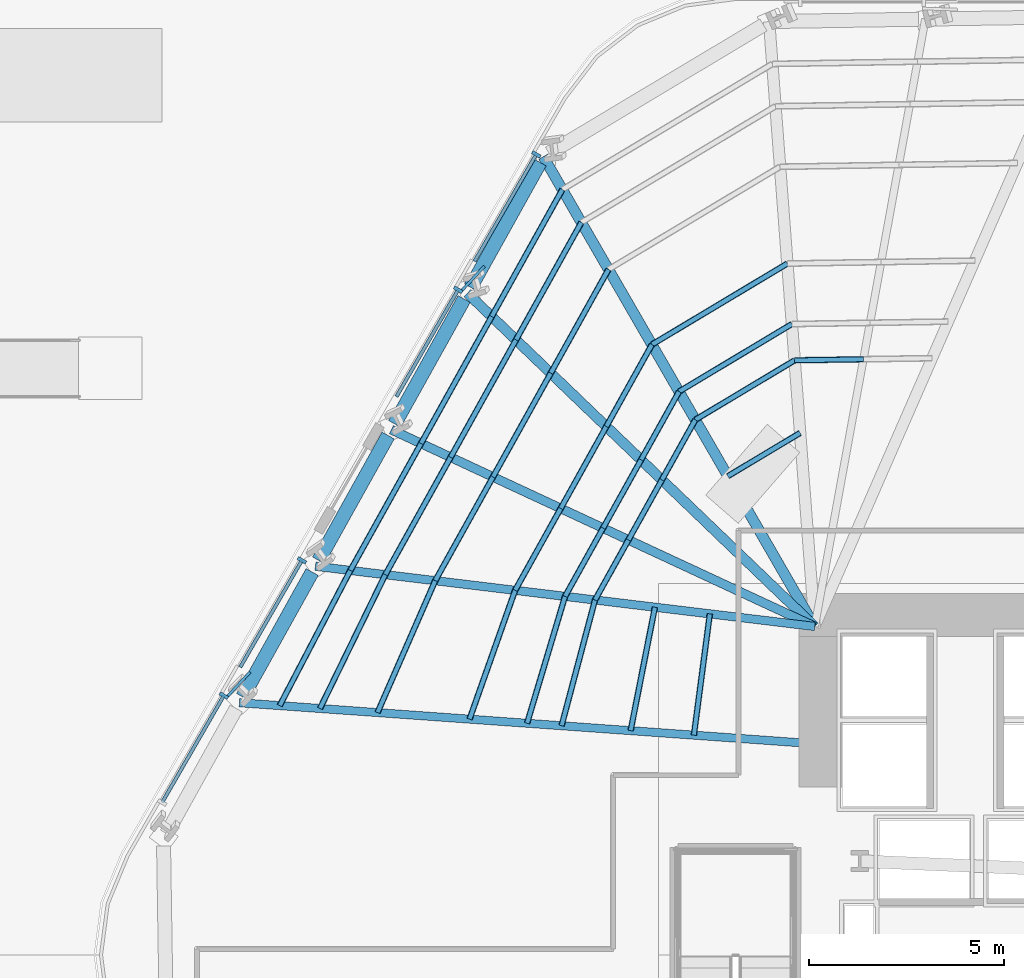
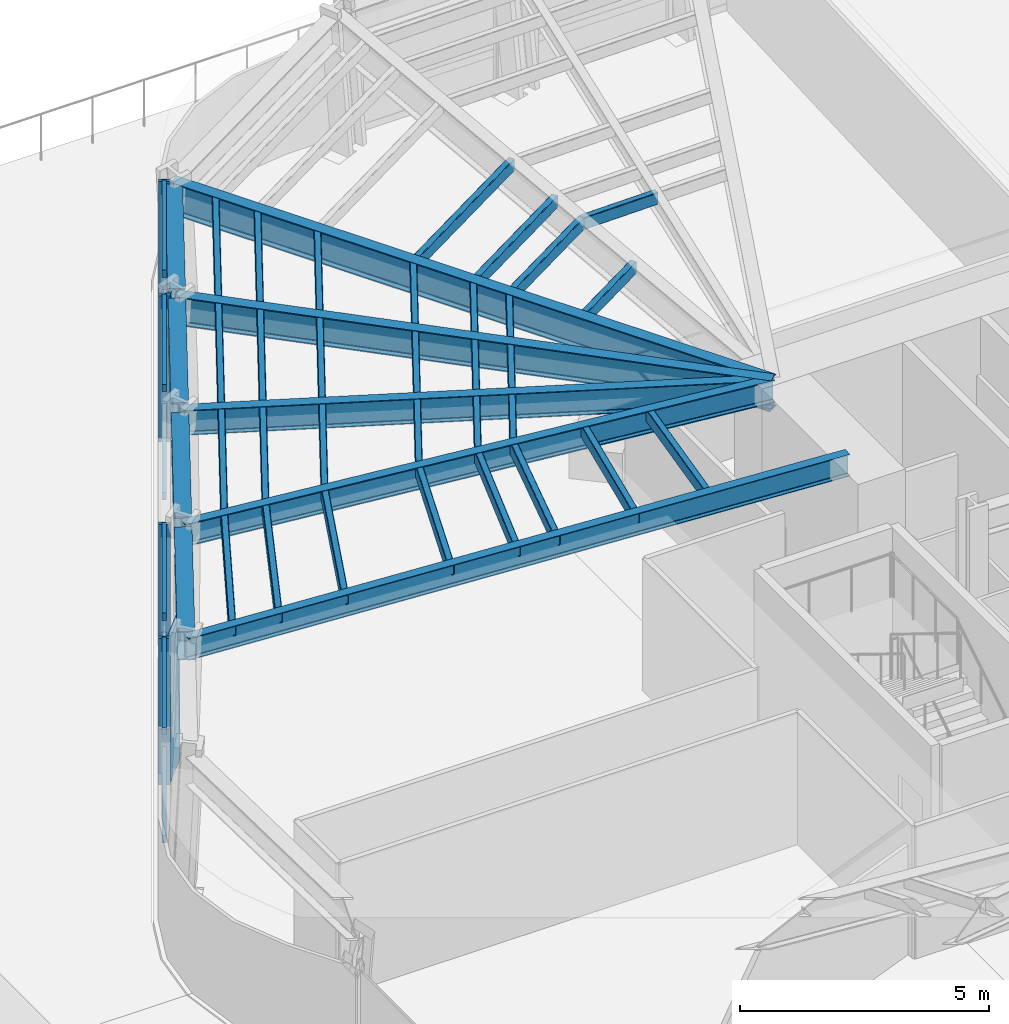
# One storey, part 4 of 18: 45 members, 9 beams, 1 element without a shape of its own.
"""IFC4 building model written with IfcOpenShell, lengths in metres."""

import ifcopenshell
import ifcopenshell.guid

model = None  # the IFC model being written
_history = None  # IfcOwnerHistory: only IFC2X3 demands one
_inside = {}  # id of a spatial element -> (the spatial element, [elements in it])
_under = {}  # id of a project, library or spatial element -> (it, [spatial elements below it])
_declared = {}  # id of a project -> (the project, [libraries it declares])
_typed = {}  # id of a type object -> (the type object, [elements of that type])
_made_of = {}  # id of a material, layer set ... -> (it, [elements and type objects made of it])


def new_model(schema):
    """Start an empty IFC model of exactly this schema.

    Asked for "IFC4X3", IfcOpenShell would pick the latest addendum, in which some entities
    have other attributes; the version numbers below select the first issue.
    IFC2X3 requires an IfcOwnerHistory on every rooted entity: one is made here for all.
    """
    global model, _history
    if schema == "IFC4X3":
        model = ifcopenshell.file(schema_version=(4, 3, 0, 0))
    else:
        model = ifcopenshell.file(schema=schema)
    _inside.clear()
    _under.clear()
    _declared.clear()
    _typed.clear()
    _made_of.clear()
    _history = None
    if model.schema == "IFC2X3":
        org = make("IfcOrganization", Name="unknown")
        user = make(
            "IfcPersonAndOrganization",
            ThePerson=make("IfcPerson", FamilyName="unknown"),
            TheOrganization=org,
        )
        app = make(
            "IfcApplication",
            ApplicationDeveloper=org,
            Version="unknown",
            ApplicationFullName="unknown",
            ApplicationIdentifier="unknown",
        )
        _history = make(
            "IfcOwnerHistory",
            OwningUser=user,
            OwningApplication=app,
            ChangeAction="ADDED",
            CreationDate=0,
        )
    return model


def make(cls, **values):
    """One entity of the class cls with the attributes given. An attribute that is None is left unset."""
    return model.create_entity(
        cls, **{name: value for name, value in values.items() if value is not None}
    )


def rooted(cls, **values):
    """An entity with a GlobalId (a new one), such as an element, a storey or a relation."""
    return make(cls, GlobalId=ifcopenshell.guid.new(), OwnerHistory=_history, **values)


def si_unit(unit_type, name, prefix=None):
    """IfcSIUnit, for example si_unit("LENGTHUNIT", "METRE", prefix="MILLI")."""
    return make("IfcSIUnit", UnitType=unit_type, Prefix=prefix, Name=name)


def assignment(units):
    """IfcUnitAssignment: the units of a project."""
    return None if units is None else make("IfcUnitAssignment", Units=units)


def point(xyz):
    """IfcCartesianPoint."""
    return None if xyz is None else make("IfcCartesianPoint", Coordinates=xyz)


def direction(xyz):
    """IfcDirection."""
    return None if xyz is None else make("IfcDirection", DirectionRatios=xyz)


def frame(location, z_axis=None, x_axis=None):
    """IfcAxis2Placement3D, a coordinate frame: its origin and axes. An axis left out is left unset."""
    return make(
        "IfcAxis2Placement3D",
        Location=point(location),
        Axis=direction(z_axis),
        RefDirection=direction(x_axis),
    )


def frame_2d(location, x_axis=None):
    """IfcAxis2Placement2D, a coordinate frame in the plane: its origin and x axis."""
    return make(
        "IfcAxis2Placement2D", Location=point(location), RefDirection=direction(x_axis)
    )


def origin():
    """The frame at (0, 0, 0) with its axes left unset."""
    return frame((0.0, 0.0, 0.0))


def origin_2d():
    """The frame at (0, 0) in the plane with its x axis left unset."""
    return frame_2d((0.0, 0.0))


def place(relative_to, where):
    """IfcLocalPlacement: puts the frame where relative to a parent placement (None: the world)."""
    return make(
        "IfcLocalPlacement", PlacementRelTo=relative_to, RelativePlacement=where
    )


def context(
    kind, dimensions, precision=None, world=None, true_north=None, identifier=None
):
    """IfcGeometricRepresentationContext, for example the 3D "Model" context."""
    return make(
        "IfcGeometricRepresentationContext",
        ContextIdentifier=identifier,
        ContextType=kind,
        CoordinateSpaceDimension=dimensions,
        Precision=precision,
        WorldCoordinateSystem=world,
        TrueNorth=true_north,
    )


def subcontext(parent, identifier, kind, view, scale=None):
    """IfcGeometricRepresentationSubContext, for example "Body" below "Model"."""
    return make(
        "IfcGeometricRepresentationSubContext",
        ContextIdentifier=identifier,
        ContextType=kind,
        ParentContext=parent,
        TargetScale=scale,
        TargetView=view,
    )


def project(units=None, contexts=None):
    """IfcProject with its units and contexts."""
    return rooted(
        "IfcProject",
        Name="project",
        RepresentationContexts=contexts,
        UnitsInContext=assignment(units),
    )


def spatial(cls, under=None, at=None, **own):
    """A site, building, storey or space (cls), placed at a placement, below another one or the project."""
    s = rooted(cls, ObjectPlacement=at, **own)
    if under is not None:
        _under.setdefault(under.id(), (under, []))[1].append(s)
    return s


def profile(cls, at=None, kind="AREA", **sizes):
    """A parametric profile (cls). Its sizes go by their IFC names, for example OverallWidth=200.0."""
    return make(cls, ProfileType=kind, Position=at, **sizes)


def rectangle(**sizes):
    """IfcRectangleProfileDef."""
    return profile("IfcRectangleProfileDef", **sizes)


def hollow_rectangle(**sizes):
    """IfcRectangleHollowProfileDef."""
    return profile("IfcRectangleHollowProfileDef", **sizes)


def i_section(**sizes):
    """IfcIShapeProfileDef."""
    return profile("IfcIShapeProfileDef", **sizes)


def extrude(swept, where, along, depth):
    """IfcExtrudedAreaSolid: the profile swept, set in the frame where, extruded along a direction by depth."""
    return make(
        "IfcExtrudedAreaSolid",
        SweptArea=swept,
        Position=where,
        ExtrudedDirection=direction(along),
        Depth=depth,
    )


def shape(context_of_items, identifier, shape_type, items):
    """IfcShapeRepresentation: the items that make up one representation, for example the "Body"."""
    return make(
        "IfcShapeRepresentation",
        ContextOfItems=context_of_items,
        RepresentationIdentifier=identifier,
        RepresentationType=shape_type,
        Items=items,
    )


def material(Name=None, Category=None):
    """IfcMaterial."""
    return make("IfcMaterial", Name=Name, Category=Category)


def layer(
    of_material, thickness, ventilated=None, Name=None, Category=None, Priority=None
):
    """IfcMaterialLayer: one layer of a wall or slab, of a material (None: an air gap)."""
    return make(
        "IfcMaterialLayer",
        Material=of_material,
        LayerThickness=thickness,
        IsVentilated=ventilated,
        Name=Name,
        Category=Category,
        Priority=Priority,
    )


def layer_set(layers, Name=None):
    """IfcMaterialLayerSet."""
    return make("IfcMaterialLayerSet", MaterialLayers=layers, LayerSetName=Name)


def material_profile(
    of_material, cross_section, Name=None, Category=None, Priority=None
):
    """IfcMaterialProfile: a cross section and its material."""
    return make(
        "IfcMaterialProfile",
        Name=Name,
        Material=of_material,
        Profile=cross_section,
        Priority=Priority,
        Category=Category,
    )


def profile_set(profiles, Name=None, composite=None):
    """IfcMaterialProfileSet."""
    return make(
        "IfcMaterialProfileSet",
        Name=Name,
        MaterialProfiles=profiles,
        CompositeProfile=composite,
    )


def made_of(thing, what):
    """Note that an element or type object is made of a material, layer set ...; save() writes the relation."""
    if what is not None:
        _made_of.setdefault(what.id(), (what, []))[1].append(thing)
    return thing


def type_object(cls, material=None, **own):
    """A type object (cls), such as IfcWallType, which elements share."""
    return made_of(rooted(cls, **own), material)


def element(
    cls,
    number,
    at=None,
    inside=None,
    cuts=None,
    type_object=None,
    material=None,
    context=None,
    identifier="Body",
    shape_type=None,
    held_by="IfcProductDefinitionShape",
    body=None,
    shapes=None,
    **own,
):
    """One element of the class cls, such as IfcWall. Its Tag is "e" and its number.

    at: its placement. inside: the storey or other place that contains it. cuts: it is an
    opening in that element (IfcRelVoidsElement). A single representation is given by context,
    identifier, shape_type and body (its items); several are given by shapes. held_by: the class
    of the entity that holds the representations. save() writes the other relations.
    """
    e = rooted(cls, Tag="e%d" % number, ObjectPlacement=at, **own)
    if body is not None:
        shapes = [shape(context, identifier, shape_type, body)]
    if shapes is not None:
        e.Representation = make(held_by, Representations=shapes)
    if inside is not None:
        _inside.setdefault(inside.id(), (inside, []))[1].append(e)
    if cuts is not None:
        rooted(
            "IfcRelVoidsElement", RelatingBuildingElement=cuts, RelatedOpeningElement=e
        )
    if type_object is not None:
        _typed.setdefault(type_object.id(), (type_object, []))[1].append(e)
    return made_of(e, material)


def aggregate(whole, parts):
    """IfcRelAggregates: a whole, such as a stair, and the parts it consists of."""
    return rooted("IfcRelAggregates", RelatingObject=whole, RelatedObjects=parts)


def save(model, path):
    """Write the relations noted so far, then the file.

    IfcRelAggregates (storeys below a building ...), IfcRelContainedInSpatialStructure (elements
    in a storey), IfcRelDefinesByType, IfcRelAssociatesMaterial and IfcRelDeclares: one each for
    every whole, place, type object, material and project.
    """
    for whole, parts in _under.values():
        aggregate(whole, parts)
    for where, things in _inside.values():
        rooted(
            "IfcRelContainedInSpatialStructure",
            RelatedElements=things,
            RelatingStructure=where,
        )
    for kind, things in _typed.values():
        rooted("IfcRelDefinesByType", RelatedObjects=things, RelatingType=kind)
    for what, things in _made_of.values():
        rooted("IfcRelAssociatesMaterial", RelatedObjects=things, RelatingMaterial=what)
    for by, libraries in _declared.values():
        rooted("IfcRelDeclares", RelatingContext=by, RelatedDefinitions=libraries)
    model.write(path)


model = new_model("IFC4")

# Units and contexts
model_context = context("Model", 3, precision=1e-05, world=origin(), true_north=direction((0.0, 1.0)))
body_context = subcontext(model_context, "Body", "Model", "MODEL_VIEW")
ifc_project = project(units=[si_unit("LENGTHUNIT", "METRE"), si_unit("AREAUNIT", "SQUARE_METRE"), si_unit("VOLUMEUNIT", "CUBIC_METRE"), si_unit("PLANEANGLEUNIT", "RADIAN"), si_unit("MASSUNIT", "GRAM", prefix="KILO")], contexts=[model_context])

# Site, building, storey
site_placement = place(None, origin())
site = spatial("IfcSite", under=ifc_project, at=site_placement, CompositionType="ELEMENT")
building_placement = place(site_placement, origin())
building = spatial("IfcBuilding", under=site, at=building_placement, Name="Valkerne Bourse Tower", CompositionType="ELEMENT")
storey_placement = place(building_placement, frame((0.0, 0.0, 24.0)))
storey = spatial("IfcBuildingStorey", under=building, at=storey_placement, Name="L05", CompositionType="ELEMENT", Elevation=24.0)

# Beams
ifc_material_1 = material(Name="Steel ASTM A992", Category="steel")
ifc_material_profile_1 = material_profile(ifc_material_1, i_section(OverallWidth=0.209228515625, OverallDepth=0.533447265625, WebThickness=0.01025390625, FlangeThickness=0.015625, FilletRadius=0.017822265625, at=origin_2d()), Name="W21X62")
ifc_profile_set_1 = profile_set([ifc_material_profile_1], Name="Steel ASTM A992")
beam_type_1 = type_object("IfcBeamType", Name="BM-W21X62", PredefinedType="JOIST", material=ifc_profile_set_1)
beam_1_placement = place(storey_placement, frame((22.88623046875, 33.4501953125, 3.313232421875), z_axis=(0.997462059217, -0.071200002966, 0.0), x_axis=(0.071200002966, 0.997462059217, 0.0)))
element("IfcBeam", 1, at=beam_1_placement, inside=storey, type_object=beam_type_1, Name="L05 Radial Composite Floor Beam 16", PredefinedType="JOIST", context=body_context, shape_type="SweptSolid", body=[
    extrude(i_section(OverallWidth=0.209228515625, OverallDepth=0.533447265625, WebThickness=0.01025390625, FlangeThickness=0.015625, FilletRadius=0.017822265625, at=origin_2d()), origin(), (0.0, 0.0, 1.0), 14.751220703125),
])
ifc_material_profile_2 = material_profile(ifc_material_1, i_section(OverallWidth=0.2138671875, OverallDepth=0.548583984375, WebThickness=0.0146484375, FlangeThickness=0.023681640625, FilletRadius=0.017822265625, at=origin_2d()), Name="W21X93")
ifc_profile_set_2 = profile_set([ifc_material_profile_2], Name="Steel ASTM A992")
beam_type_2 = type_object("IfcBeamType", Name="BM-W21X93", PredefinedType="BEAM", material=ifc_profile_set_2)
beam_2_placement = place(storey_placement, frame((24.82958984375, 36.94189453125, 3.3056640625), z_axis=(0.992788916022, -0.119875636491, 0.0), x_axis=(0.119875636491, 0.992788916022, 0.0)))
element("IfcBeam", 2, at=beam_2_placement, inside=storey, type_object=beam_type_2, Name="L05 Radial Composite Floor Beam 15", PredefinedType="BEAM", context=body_context, shape_type="SweptSolid", body=[
    extrude(i_section(OverallWidth=0.2138671875, OverallDepth=0.548583984375, WebThickness=0.0146484375, FlangeThickness=0.023681640625, FilletRadius=0.017822265625, at=origin_2d()), origin(), (0.0, 0.0, 1.0), 12.86328125),
])
ifc_material_profile_3 = material_profile(ifc_material_1, i_section(OverallWidth=0.228271484375, OverallDepth=0.607177734375, WebThickness=0.01123046875, FlangeThickness=0.017333984375, FilletRadius=0.017822265625, at=origin_2d()), Name="W24X76")
ifc_profile_set_3 = profile_set([ifc_material_profile_3], Name="Steel ASTM A992")
beam_type_3 = type_object("IfcBeamType", Name="BM-W24X76", PredefinedType="JOIST", material=ifc_profile_set_3)
beam_3_placement = place(storey_placement, frame((26.77294921875, 40.43359375, 3.2763671875), z_axis=(0.906791287053, -0.421579840274, 0.0), x_axis=(0.421579840274, 0.906791287053, 0.0)))
element("IfcBeam", 3, at=beam_3_placement, inside=storey, type_object=beam_type_3, Name="L05 Radial Composite Floor Beam 14", PredefinedType="JOIST", context=body_context, shape_type="SweptSolid", body=[
    extrude(i_section(OverallWidth=0.228271484375, OverallDepth=0.607177734375, WebThickness=0.01123046875, FlangeThickness=0.017333984375, FilletRadius=0.017822265625, at=origin_2d()), origin(), (0.0, 0.0, 1.0), 11.940185546875),
])
ifc_material_profile_4 = material_profile(ifc_material_1, i_section(OverallWidth=0.255859375, OverallDepth=0.693359375, WebThickness=0.014404296875, FlangeThickness=0.023681640625, FilletRadius=0.02294921875, at=origin_2d()), Name="W27X114")
ifc_profile_set_4 = profile_set([ifc_material_profile_4], Name="Steel ASTM A992")
beam_type_4 = type_object("IfcBeamType", Name="BM-W27X114", PredefinedType="BEAM", material=ifc_profile_set_4)
beam_4_placement = place(storey_placement, frame((28.71630859375, 43.925048828125, 3.2333984375), z_axis=(0.721520840689, -0.692392718369, 0.0), x_axis=(0.692392718369, 0.721520840689, 0.0)))
element("IfcBeam", 4, at=beam_4_placement, inside=storey, type_object=beam_type_4, Name="L05 Radial Composite Floor Beam 13", PredefinedType="BEAM", context=body_context, shape_type="SweptSolid", body=[
    extrude(i_section(OverallWidth=0.255859375, OverallDepth=0.693359375, WebThickness=0.014404296875, FlangeThickness=0.023681640625, FilletRadius=0.02294921875, at=origin_2d()), origin(), (0.0, 0.0, 1.0), 12.3125),
])
ifc_material_profile_5 = material_profile(ifc_material_1, i_section(OverallWidth=0.358154296875, OverallDepth=0.7060546875, WebThickness=0.018310546875, FlangeThickness=0.0302734375, FilletRadius=0.02294921875, at=origin_2d()), Name="W27X178")
ifc_profile_set_5 = profile_set([ifc_material_profile_5], Name="Steel ASTM A992")
beam_type_5 = type_object("IfcBeamType", Name="BM-W27X178", PredefinedType="SPANDREL", material=ifc_profile_set_5)
beam_5_placement = place(storey_placement, frame((30.5771484375, 47.268310546875, 3.226806640625), z_axis=(-0.486306109577, -0.873788514338, 0.0), x_axis=(0.873788514338, -0.486306109577, 0.0)))
element("IfcBeam", 5, at=beam_5_placement, inside=storey, type_object=beam_type_5, Name="L05 Hexagonal Spandrel Ring Beam 12", PredefinedType="SPANDREL", context=body_context, shape_type="SweptSolid", body=[
    extrude(i_section(OverallWidth=0.358154296875, OverallDepth=0.7060546875, WebThickness=0.018310546875, FlangeThickness=0.0302734375, FilletRadius=0.02294921875, at=origin_2d()), origin(), (0.0, 0.0, 1.0), 3.65625),
])
for number, where, z_axis, x_axis, name in (
    (6, (28.6337890625, 43.776611328125, 3.226806640625), (-0.486334484643, -0.87377272162, 0.0), (0.87377272162, -0.486334484643, 0.0), "L05 Hexagonal Spandrel Ring Beam 13"),
    (7, (26.690185546875, 40.284912109375, 3.226806640625), (-0.48628349959, -0.87380109752, 0.0), (0.87380109752, -0.48628349959, 0.0), "L05 Hexagonal Spandrel Ring Beam 14"),
    (8, (24.746826171875, 36.79345703125, 3.226806640625), (-0.48628349959, -0.87380109752, 0.0), (0.87380109752, -0.48628349959, 0.0), "L05 Hexagonal Spandrel Ring Beam 15"),
):
    element("IfcBeam", number, at=place(storey_placement, frame(where, z_axis=z_axis, x_axis=x_axis)), inside=storey, type_object=beam_type_5, Name=name, PredefinedType="SPANDREL", context=body_context, shape_type="SweptSolid", body=[
        extrude(i_section(OverallWidth=0.358154296875, OverallDepth=0.7060546875, WebThickness=0.018310546875, FlangeThickness=0.0302734375, FilletRadius=0.02294921875, at=origin_2d()), origin(), (0.0, 0.0, 1.0), 3.656005859375),
    ])
ifc_material_profile_6 = material_profile(ifc_material_1, i_section(OverallWidth=0.26806640625, OverallDepth=0.76953125, WebThickness=0.015625, FlangeThickness=0.025390625, FilletRadius=0.025390625, at=origin_2d()), Name="W30X132")
ifc_profile_set_6 = profile_set([ifc_material_profile_6], Name="Steel ASTM A992")
beam_type_6 = type_object("IfcBeamType", Name="BM-W30X132", PredefinedType="BEAM", material=ifc_profile_set_6)
beam_6_placement = place(storey_placement, frame((30.659912109375, 47.416748046875, 3.1953125), z_axis=(0.500121947602, -0.865954985855, 0.0), x_axis=(0.865954985855, 0.500121947602, 0.0)))
element("IfcBeam", 9, at=beam_6_placement, inside=storey, type_object=beam_type_6, Name="L05 Radial Composite Floor Beam 12", PredefinedType="BEAM", context=body_context, shape_type="SweptSolid", body=[
    extrude(i_section(OverallWidth=0.26806640625, OverallDepth=0.76953125, WebThickness=0.015625, FlangeThickness=0.025390625, FilletRadius=0.025390625, at=origin_2d()), origin(), (0.0, 0.0, 1.0), 13.876953125),
])

# Curtain wall, members
ifc_material_2 = material(Name="Aluminium AA 6063-T6", Category="aluminium")
ifc_layer = layer(ifc_material_2, 0.22509765625)
ifc_layer_set = layer_set([ifc_layer], Name="Aluminium AA 6063-T6")
curtain_wall_type = type_object("IfcCurtainWallType", Name="CW-01", PredefinedType="NOTDEFINED", material=ifc_layer_set)
curtain_wall_placement = place(storey_placement, origin())
curtain_wall = element("IfcCurtainWall", 10, at=curtain_wall_placement, inside=storey, type_object=curtain_wall_type, Name="L05 Hexagonal Stick Curtain Wall Face 3", PredefinedType="NOTDEFINED")
ifc_material_profile_7 = material_profile(ifc_material_2, rectangle(XDim=0.090087890625, YDim=0.239990234375, at=origin_2d()), Name="CWM-90X240")
ifc_profile_set_7 = profile_set([ifc_material_profile_7], Name="Aluminium AA 6063-T6")
member_type_1 = type_object("IfcMemberType", Name="CW-MUL-240X90", PredefinedType="MULLION", material=ifc_profile_set_7)
member_1_placement = place(storey_placement, frame((30.47802734375, 47.47412109375, 0.0), z_axis=(0.0, 0.0, 1.0), x_axis=(-0.500004065051, -0.866023056813, 0.0)))
member_1 = element("IfcMember", 11, at=member_1_placement, type_object=member_type_1, Name="CW-L05-F3 Jamb Mullion 00A", PredefinedType="MULLION", context=body_context, shape_type="SweptSolid", body=[
    extrude(rectangle(XDim=0.090087890625, YDim=0.239990234375, at=origin_2d()), origin(), (0.0, 0.0, 1.0), 3.580078125),
])
member_2_placement = place(storey_placement, frame((28.47998046875, 44.013427734375, 0.0), z_axis=(0.0, 0.0, 1.0), x_axis=(-0.499993228951, -0.866029313016, 0.0)))
member_2 = element("IfcMember", 12, at=member_2_placement, type_object=member_type_1, Name="CW-L05-F3 Jamb Mullion 01A", PredefinedType="MULLION", context=body_context, shape_type="SweptSolid", body=[
    extrude(rectangle(XDim=0.090087890625, YDim=0.239990234375, at=origin_2d()), origin(), (0.0, 0.0, 1.0), 3.580078125),
])
member_3_placement = place(storey_placement, frame((24.484130859375, 37.092041015625, 0.0), z_axis=(0.0, 0.0, 1.0), x_axis=(-0.499993228951, -0.866029313016, 0.0)))
member_3 = element("IfcMember", 13, at=member_3_placement, type_object=member_type_1, Name="CW-L05-F3 Jamb Mullion 03A", PredefinedType="MULLION", context=body_context, shape_type="SweptSolid", body=[
    extrude(rectangle(XDim=0.090087890625, YDim=0.239990234375, at=origin_2d()), origin(), (0.0, 0.0, 1.0), 3.580078125),
])
member_4_placement = place(storey_placement, frame((22.486083984375, 33.63134765625, 0.0), z_axis=(0.0, 0.0, 1.0), x_axis=(-0.500004065051, -0.866023056813, 0.0)))
member_4 = element("IfcMember", 14, at=member_4_placement, type_object=member_type_1, Name="CW-L05-F3 Jamb Mullion 04A", PredefinedType="MULLION", context=body_context, shape_type="SweptSolid", body=[
    extrude(rectangle(XDim=0.090087890625, YDim=0.239990234375, at=origin_2d()), origin(), (0.0, 0.0, 1.0), 3.580078125),
])
ifc_material_profile_8 = material_profile(ifc_material_2, rectangle(XDim=0.090087890625, YDim=0.179931640625, at=origin_2d()), Name="CWT-90X180")
ifc_profile_set_8 = profile_set([ifc_material_profile_8], Name="Aluminium AA 6063-T6")
member_type_2 = type_object("IfcMemberType", Name="CW-TRN-180X90", PredefinedType="USERDEFINED", material=ifc_profile_set_8)
member_5_placement = place(storey_placement, frame((30.47802734375, 47.47412109375, 0.85009765625), z_axis=(-0.499941193264, -0.866059353207, 0.0), x_axis=(0.866059353207, -0.499941193264, 0.0)))
member_5 = element("IfcMember", 15, at=member_5_placement, type_object=member_type_2, Name="CW-L05-F3 Bay Transom 00-1", ObjectType="TRANSOM", PredefinedType="USERDEFINED", context=body_context, shape_type="SweptSolid", body=[
    extrude(rectangle(XDim=0.090087890625, YDim=0.179931640625, at=origin_2d()), origin(), (0.0, 0.0, 1.0), 3.15625),
])
member_6_placement = place(storey_placement, frame((30.47802734375, 47.47412109375, 3.5), z_axis=(-0.499941193264, -0.866059353207, 0.0), x_axis=(0.866059353207, -0.499941193264, 0.0)))
member_6 = element("IfcMember", 16, at=member_6_placement, type_object=member_type_2, Name="CW-L05-F3 Bay Transom 00-2", ObjectType="TRANSOM", PredefinedType="USERDEFINED", context=body_context, shape_type="SweptSolid", body=[
    extrude(rectangle(XDim=0.090087890625, YDim=0.179931640625, at=origin_2d()), origin(), (0.0, 0.0, 1.0), 3.15625),
])
member_7_placement = place(storey_placement, frame((28.47998046875, 44.013427734375, 0.85009765625), z_axis=(-0.499941193264, -0.866059353207, 0.0), x_axis=(0.866059353207, -0.499941193264, 0.0)))
member_7 = element("IfcMember", 17, at=member_7_placement, type_object=member_type_2, Name="CW-L05-F3 Bay Transom 01-1", ObjectType="TRANSOM", PredefinedType="USERDEFINED", context=body_context, shape_type="SweptSolid", body=[
    extrude(rectangle(XDim=0.090087890625, YDim=0.179931640625, at=origin_2d()), origin(), (0.0, 0.0, 1.0), 3.15625),
])
member_8_placement = place(storey_placement, frame((28.47998046875, 44.013427734375, 3.5), z_axis=(-0.499941193264, -0.866059353207, 0.0), x_axis=(0.866059353207, -0.499941193264, 0.0)))
member_8 = element("IfcMember", 18, at=member_8_placement, type_object=member_type_2, Name="CW-L05-F3 Bay Transom 01-2", ObjectType="TRANSOM", PredefinedType="USERDEFINED", context=body_context, shape_type="SweptSolid", body=[
    extrude(rectangle(XDim=0.090087890625, YDim=0.179931640625, at=origin_2d()), origin(), (0.0, 0.0, 1.0), 3.15625),
])
member_9_placement = place(storey_placement, frame((24.484130859375, 37.092041015625, 0.85009765625), z_axis=(-0.50003270617, -0.866006520045, 0.0), x_axis=(0.866006520045, -0.50003270617, 0.0)))
member_9 = element("IfcMember", 19, at=member_9_placement, type_object=member_type_2, Name="CW-L05-F3 Bay Transom 03-1", ObjectType="TRANSOM", PredefinedType="USERDEFINED", context=body_context, shape_type="SweptSolid", body=[
    extrude(rectangle(XDim=0.090087890625, YDim=0.179931640625, at=origin_2d()), origin(), (0.0, 0.0, 1.0), 3.156005859375),
])
member_10_placement = place(storey_placement, frame((24.484130859375, 37.092041015625, 3.5), z_axis=(-0.50003270617, -0.866006520045, 0.0), x_axis=(0.866006520045, -0.50003270617, 0.0)))
member_10 = element("IfcMember", 20, at=member_10_placement, type_object=member_type_2, Name="CW-L05-F3 Bay Transom 03-2", ObjectType="TRANSOM", PredefinedType="USERDEFINED", context=body_context, shape_type="SweptSolid", body=[
    extrude(rectangle(XDim=0.090087890625, YDim=0.179931640625, at=origin_2d()), origin(), (0.0, 0.0, 1.0), 3.156005859375),
])
member_11_placement = place(storey_placement, frame((22.486083984375, 33.63134765625, 0.85009765625), z_axis=(-0.499974687925, -0.866040017224, 0.0), x_axis=(0.866040017224, -0.499974687925, 0.0)))
member_11 = element("IfcMember", 21, at=member_11_placement, type_object=member_type_2, Name="CW-L05-F3 Bay Transom 04-1", ObjectType="TRANSOM", PredefinedType="USERDEFINED", context=body_context, shape_type="SweptSolid", body=[
    extrude(rectangle(XDim=0.090087890625, YDim=0.179931640625, at=origin_2d()), origin(), (0.0, 0.0, 1.0), 3.156005859375),
])
member_12_placement = place(storey_placement, frame((22.486083984375, 33.63134765625, 3.5), z_axis=(-0.499974687925, -0.866040017224, 0.0), x_axis=(0.866040017224, -0.499974687925, 0.0)))
member_12 = element("IfcMember", 22, at=member_12_placement, type_object=member_type_2, Name="CW-L05-F3 Bay Transom 04-2", ObjectType="TRANSOM", PredefinedType="USERDEFINED", context=body_context, shape_type="SweptSolid", body=[
    extrude(rectangle(XDim=0.090087890625, YDim=0.179931640625, at=origin_2d()), origin(), (0.0, 0.0, 1.0), 3.156005859375),
])
aggregate(curtain_wall, [member_1, member_5, member_6, member_2, member_7, member_8, member_3, member_9, member_10, member_4, member_11, member_12])

# Members
ifc_material_3 = material(Name="Bronze Anodised Aluminium AA 6063-T6", Category="aluminium")
ifc_material_profile_9 = material_profile(ifc_material_3, rectangle(XDim=0.070068359375, YDim=0.89990234375, at=origin_2d()), Name="FIN-70X900")
ifc_profile_set_9 = profile_set([ifc_material_profile_9], Name="Bronze Anodised Aluminium AA 6063-T6")
member_type_3 = type_object("IfcMemberType", Name="FIN-SOLAR-900", PredefinedType="USERDEFINED", material=ifc_profile_set_9)
for number, where, z_axis, x_axis, name in (
    (23, (28.845947265625, 44.287109375, 0.00390625), (0.0, 0.0, 1.0), (-0.7321399231, 0.681154265202, 0.0), "L05 Bronze Anodised Solar Fin F3-01"),
    (24, (22.851806640625, 33.905029296875, 0.00390625), (0.0, 0.0, 1.0), (-0.732132197101, 0.681162569412, 0.0), "L05 Bronze Anodised Solar Fin F3-04"),
):
    element("IfcMember", number, at=place(storey_placement, frame(where, z_axis=z_axis, x_axis=x_axis)), inside=storey, type_object=member_type_3, Name=name, ObjectType="SOLAR_FIN", PredefinedType="USERDEFINED", context=body_context, shape_type="SweptSolid", body=[
        extrude(rectangle(XDim=0.070068359375, YDim=0.89990234375, at=origin_2d()), origin(), (0.0, 0.0, 1.0), 3.572021484375),
    ])
ifc_material_4 = material(Name="Steel ASTM A500 Grade C", Category="steel")
ifc_material_profile_10 = material_profile(ifc_material_4, hollow_rectangle(XDim=0.14990234375, YDim=0.300048828125, WallThickness=0.012451171875, OuterFilletRadius=0.02490234375, at=origin_2d()), Name="HSS300X150X12.5")
ifc_profile_set_10 = profile_set([ifc_material_profile_10], Name="Steel ASTM A500 Grade C")
member_type_4 = type_object("IfcMemberType", Name="MBR-HSS300X150X12.5", PredefinedType="PURLIN", material=ifc_profile_set_10)
member_13_placement = place(storey_placement, frame((37.226806640625, 40.35107421875, 3.419921875), z_axis=(-0.858082620008, -0.513511652487, 0.0), x_axis=(0.513511652487, -0.858082620008, 0.0)))
element("IfcMember", 25, at=member_13_placement, inside=storey, type_object=member_type_4, Name="L05 Secondary Composite Floor Purlin I-11", PredefinedType="PURLIN", context=body_context, shape_type="SweptSolid", body=[
    extrude(hollow_rectangle(XDim=0.14990234375, YDim=0.300048828125, WallThickness=0.012451171875, OuterFilletRadius=0.02490234375, at=origin_2d()), origin(), (0.0, 0.0, 1.0), 2.1533203125),
])
member_14_placement = place(storey_placement, frame((33.513427734375, 35.893310546875, 3.419921875), z_axis=(-0.193240985422, -0.981151324492, 0.0), x_axis=(0.981151324492, -0.193240985422, 0.0)))
element("IfcMember", 26, at=member_14_placement, inside=storey, type_object=member_type_4, Name="L05 Secondary Composite Floor Purlin I-15", PredefinedType="PURLIN", context=body_context, shape_type="SweptSolid", body=[
    extrude(hollow_rectangle(XDim=0.14990234375, YDim=0.300048828125, WallThickness=0.012451171875, OuterFilletRadius=0.02490234375, at=origin_2d()), origin(), (0.0, 0.0, 1.0), 3.2177734375),
])
member_15_placement = place(storey_placement, frame((38.844970703125, 42.2353515625, 3.419921875), z_axis=(-0.999876899145, -0.015690333232, 0.0), x_axis=(0.015690333232, -0.999876899145, 0.0)))
element("IfcMember", 27, at=member_15_placement, inside=storey, type_object=member_type_4, Name="L05 Secondary Composite Floor Purlin K-10", PredefinedType="PURLIN", context=body_context, shape_type="SweptSolid", body=[
    extrude(hollow_rectangle(XDim=0.14990234375, YDim=0.300048828125, WallThickness=0.012451171875, OuterFilletRadius=0.02490234375, at=origin_2d()), origin(), (0.0, 0.0, 1.0), 1.75830078125),
])
member_16_placement = place(storey_placement, frame((37.0869140625, 42.207763671875, 3.419921875), z_axis=(-0.85805991042, -0.51354959851, 0.0), x_axis=(0.51354959851, -0.85805991042, 0.0)))
element("IfcMember", 28, at=member_16_placement, inside=storey, type_object=member_type_4, Name="L05 Secondary Composite Floor Purlin K-11", PredefinedType="PURLIN", context=body_context, shape_type="SweptSolid", body=[
    extrude(hollow_rectangle(XDim=0.14990234375, YDim=0.300048828125, WallThickness=0.012451171875, OuterFilletRadius=0.02490234375, at=origin_2d()), origin(), (0.0, 0.0, 1.0), 2.960693359375),
])
member_17_placement = place(storey_placement, frame((34.54638671875, 40.687255859375, 3.419921875), z_axis=(-0.4863736619, -0.873750914741, 0.0), x_axis=(0.873750914741, -0.4863736619, 0.0)))
element("IfcMember", 29, at=member_17_placement, inside=storey, type_object=member_type_4, Name="L05 Secondary Composite Floor Purlin K-12", PredefinedType="PURLIN", context=body_context, shape_type="SweptSolid", body=[
    extrude(hollow_rectangle(XDim=0.14990234375, YDim=0.300048828125, WallThickness=0.012451171875, OuterFilletRadius=0.02490234375, at=origin_2d()), origin(), (0.0, 0.0, 1.0), 1.75830078125),
])
member_18_placement = place(storey_placement, frame((33.691162109375, 39.15087890625, 3.419921875), z_axis=(-0.486326657318, -0.873777078197, 0.0), x_axis=(0.873777078197, -0.486326657318, 0.0)))
element("IfcMember", 30, at=member_18_placement, inside=storey, type_object=member_type_4, Name="L05 Secondary Composite Floor Purlin K-13", PredefinedType="PURLIN", context=body_context, shape_type="SweptSolid", body=[
    extrude(hollow_rectangle(XDim=0.14990234375, YDim=0.300048828125, WallThickness=0.012451171875, OuterFilletRadius=0.02490234375, at=origin_2d()), origin(), (0.0, 0.0, 1.0), 1.758056640625),
])
member_19_placement = place(storey_placement, frame((32.836181640625, 37.61474609375, 3.419921875), z_axis=(-0.4863736619, -0.873750914741, 0.0), x_axis=(0.873750914741, -0.4863736619, 0.0)))
element("IfcMember", 31, at=member_19_placement, inside=storey, type_object=member_type_4, Name="L05 Secondary Composite Floor Purlin K-14", PredefinedType="PURLIN", context=body_context, shape_type="SweptSolid", body=[
    extrude(hollow_rectangle(XDim=0.14990234375, YDim=0.300048828125, WallThickness=0.012451171875, OuterFilletRadius=0.02490234375, at=origin_2d()), origin(), (0.0, 0.0, 1.0), 1.75830078125),
])
member_20_placement = place(storey_placement, frame((31.98095703125, 36.078369140625, 3.419921875), z_axis=(-0.256904625598, -0.966436761173, 0.0), x_axis=(0.966436761173, -0.256904625598, 0.0)))
element("IfcMember", 32, at=member_20_placement, inside=storey, type_object=member_type_4, Name="L05 Secondary Composite Floor Purlin K-15", PredefinedType="PURLIN", context=body_context, shape_type="SweptSolid", body=[
    extrude(hollow_rectangle(XDim=0.14990234375, YDim=0.300048828125, WallThickness=0.012451171875, OuterFilletRadius=0.02490234375, at=origin_2d()), origin(), (0.0, 0.0, 1.0), 3.328125),
])
member_21_placement = place(storey_placement, frame((37.016845703125, 43.13623046875, 3.419921875), z_axis=(-0.858036655308, -0.513588452116, 0.0), x_axis=(0.513588452116, -0.858036655308, 0.0)))
element("IfcMember", 33, at=member_21_placement, inside=storey, type_object=member_type_4, Name="L05 Secondary Composite Floor Purlin M-11", PredefinedType="PURLIN", context=body_context, shape_type="SweptSolid", body=[
    extrude(hollow_rectangle(XDim=0.14990234375, YDim=0.300048828125, WallThickness=0.012451171875, OuterFilletRadius=0.02490234375, at=origin_2d()), origin(), (0.0, 0.0, 1.0), 3.364501953125),
])
member_22_placement = place(storey_placement, frame((34.1298828125, 41.408203125, 3.419921875), z_axis=(-0.486369066083, -0.873753472988, 0.0), x_axis=(0.873753472988, -0.486369066083, 0.0)))
element("IfcMember", 34, at=member_22_placement, inside=storey, type_object=member_type_4, Name="L05 Secondary Composite Floor Purlin M-12", PredefinedType="PURLIN", context=body_context, shape_type="SweptSolid", body=[
    extrude(hollow_rectangle(XDim=0.14990234375, YDim=0.300048828125, WallThickness=0.012451171875, OuterFilletRadius=0.02490234375, at=origin_2d()), origin(), (0.0, 0.0, 1.0), 1.997802734375),
])
for number, where, z_axis, x_axis, name in (
    (35, (33.158203125, 39.66259765625, 3.419921875), (-0.486317138447, -0.87378237614, 0.0), (0.87378237614, -0.486317138447, 0.0), "L05 Secondary Composite Floor Purlin M-13"),
    (36, (32.1865234375, 37.916748046875, 3.419921875), (-0.486317138447, -0.87378237614, 0.0), (0.87378237614, -0.486317138447, 0.0), "L05 Secondary Composite Floor Purlin M-14"),
):
    element("IfcMember", number, at=place(storey_placement, frame(where, z_axis=z_axis, x_axis=x_axis)), inside=storey, type_object=member_type_4, Name=name, PredefinedType="PURLIN", context=body_context, shape_type="SweptSolid", body=[
        extrude(hollow_rectangle(XDim=0.14990234375, YDim=0.300048828125, WallThickness=0.012451171875, OuterFilletRadius=0.02490234375, at=origin_2d()), origin(), (0.0, 0.0, 1.0), 1.998046875),
    ])
member_23_placement = place(storey_placement, frame((31.21484375, 36.1708984375, 3.419921875), z_axis=(-0.286805723703, -0.957988766558, 0.0), x_axis=(0.957988766558, -0.286805723703, 0.0)))
element("IfcMember", 37, at=member_23_placement, inside=storey, type_object=member_type_4, Name="L05 Secondary Composite Floor Purlin M-15", PredefinedType="PURLIN", context=body_context, shape_type="SweptSolid", body=[
    extrude(hollow_rectangle(XDim=0.14990234375, YDim=0.300048828125, WallThickness=0.012451171875, OuterFilletRadius=0.02490234375, at=origin_2d()), origin(), (0.0, 0.0, 1.0), 3.387939453125),
])
for number, where, z_axis, x_axis, name in (
    (38, (32.325439453125, 44.53271484375, 3.419921875), (-0.486359452326, -0.873758824352, 0.0), (0.873758824352, -0.486359452326, 0.0), "L05 Secondary Composite Floor Purlin O-12"),
    (39, (30.848388671875, 41.879150390625, 3.419921875), (-0.486298074627, -0.873792986133, 0.0), (0.873792986133, -0.486298074627, 0.0), "L05 Secondary Composite Floor Purlin O-13"),
):
    element("IfcMember", number, at=place(storey_placement, frame(where, z_axis=z_axis, x_axis=x_axis)), inside=storey, type_object=member_type_4, Name=name, PredefinedType="PURLIN", context=body_context, shape_type="SweptSolid", body=[
        extrude(hollow_rectangle(XDim=0.14990234375, YDim=0.300048828125, WallThickness=0.012451171875, OuterFilletRadius=0.02490234375, at=origin_2d()), origin(), (0.0, 0.0, 1.0), 3.036865234375),
    ])
member_24_placement = place(storey_placement, frame((29.37158203125, 39.2255859375, 3.419921875), z_axis=(-0.486325291753, -0.873777838241, 0.0), x_axis=(0.873777838241, -0.486325291753, 0.0)))
element("IfcMember", 40, at=member_24_placement, inside=storey, type_object=member_type_4, Name="L05 Secondary Composite Floor Purlin O-14", PredefinedType="PURLIN", context=body_context, shape_type="SweptSolid", body=[
    extrude(hollow_rectangle(XDim=0.14990234375, YDim=0.300048828125, WallThickness=0.012451171875, OuterFilletRadius=0.02490234375, at=origin_2d()), origin(), (0.0, 0.0, 1.0), 3.037109375),
])
member_25_placement = place(storey_placement, frame((27.89453125, 36.57177734375, 3.419921875), z_axis=(-0.401076167716, -0.916044708347, 0.0), x_axis=(0.916044708347, -0.401076167716, 0.0)))
element("IfcMember", 41, at=member_25_placement, inside=storey, type_object=member_type_4, Name="L05 Secondary Composite Floor Purlin O-15", PredefinedType="PURLIN", context=body_context, shape_type="SweptSolid", body=[
    extrude(hollow_rectangle(XDim=0.14990234375, YDim=0.300048828125, WallThickness=0.012451171875, OuterFilletRadius=0.02490234375, at=origin_2d()), origin(), (0.0, 0.0, 1.0), 3.6826171875),
])
member_26_placement = place(storey_placement, frame((36.900390625, 44.683349609375, 3.419921875), z_axis=(-0.858095234178, -0.513490573507, 0.0), x_axis=(0.513490573507, -0.858095234178, 0.0)))
element("IfcMember", 42, at=member_26_placement, inside=storey, type_object=member_type_4, Name="L05 Secondary Composite Floor Purlin Z-11", PredefinedType="PURLIN", context=body_context, shape_type="SweptSolid", body=[
    extrude(hollow_rectangle(XDim=0.14990234375, YDim=0.300048828125, WallThickness=0.012451171875, OuterFilletRadius=0.02490234375, at=origin_2d()), origin(), (0.0, 0.0, 1.0), 4.03759765625),
])
for number, where, z_axis, x_axis, name in (
    (43, (33.435791015625, 42.610107421875, 3.419921875), (-0.486325792402, -0.873777559591, 0.0), (0.873777559591, -0.486325792402, 0.0), "L05 Secondary Composite Floor Purlin Z-12"),
    (44, (32.269775390625, 40.51513671875, 3.419921875), (-0.486325792402, -0.873777559591, 0.0), (0.873777559591, -0.486325792402, 0.0), "L05 Secondary Composite Floor Purlin Z-13"),
    (45, (31.103759765625, 38.420166015625, 3.419921875), (-0.486325792402, -0.873777559591, 0.0), (0.873777559591, -0.486325792402, 0.0), "L05 Secondary Composite Floor Purlin Z-14"),
):
    element("IfcMember", number, at=place(storey_placement, frame(where, z_axis=z_axis, x_axis=x_axis)), inside=storey, type_object=member_type_4, Name=name, PredefinedType="PURLIN", context=body_context, shape_type="SweptSolid", body=[
        extrude(hollow_rectangle(XDim=0.14990234375, YDim=0.300048828125, WallThickness=0.012451171875, OuterFilletRadius=0.02490234375, at=origin_2d()), origin(), (0.0, 0.0, 1.0), 2.397705078125),
    ])
member_27_placement = place(storey_placement, frame((29.937744140625, 36.3251953125, 3.419921875), z_axis=(-0.333609211989, -0.942711458335, 0.0), x_axis=(0.942711458335, -0.333609211989, 0.0)))
element("IfcMember", 46, at=member_27_placement, inside=storey, type_object=member_type_4, Name="L05 Secondary Composite Floor Purlin Z-15", PredefinedType="PURLIN", context=body_context, shape_type="SweptSolid", body=[
    extrude(hollow_rectangle(XDim=0.14990234375, YDim=0.300048828125, WallThickness=0.012451171875, OuterFilletRadius=0.02490234375, at=origin_2d()), origin(), (0.0, 0.0, 1.0), 3.4951171875),
])
member_28_placement = place(storey_placement, frame((34.918212890625, 35.723876953125, 3.419921875), z_axis=(-0.130416176139, -0.991459339056, 0.0), x_axis=(0.991459339056, -0.130416176139, 0.0)))
element("IfcMember", 47, at=member_28_placement, inside=storey, type_object=member_type_4, Name="L05 Secondary Composite Floor Purlin S-15", PredefinedType="PURLIN", context=body_context, shape_type="SweptSolid", body=[
    extrude(hollow_rectangle(XDim=0.14990234375, YDim=0.300048828125, WallThickness=0.012451171875, OuterFilletRadius=0.02490234375, at=origin_2d()), origin(), (0.0, 0.0, 1.0), 3.1298828125),
])
member_29_placement = place(storey_placement, frame((31.63134765625, 45.734375, 3.419921875), z_axis=(-0.486306329271, -0.873788392067, 0.0), x_axis=(0.873788392067, -0.486306329271, 0.0)))
element("IfcMember", 48, at=member_29_placement, inside=storey, type_object=member_type_4, Name="L05 Secondary Composite Floor Purlin T-12", PredefinedType="PURLIN", context=body_context, shape_type="SweptSolid", body=[
    extrude(hollow_rectangle(XDim=0.14990234375, YDim=0.300048828125, WallThickness=0.012451171875, OuterFilletRadius=0.02490234375, at=origin_2d()), origin(), (0.0, 0.0, 1.0), 3.436279296875),
])
member_30_placement = place(storey_placement, frame((29.960205078125, 42.731689453125, 3.419921875), z_axis=(-0.486330381152, -0.873775005576, 0.0), x_axis=(0.873775005576, -0.486330381152, 0.0)))
element("IfcMember", 49, at=member_30_placement, inside=storey, type_object=member_type_4, Name="L05 Secondary Composite Floor Purlin T-13", PredefinedType="PURLIN", context=body_context, shape_type="SweptSolid", body=[
    extrude(hollow_rectangle(XDim=0.14990234375, YDim=0.300048828125, WallThickness=0.012451171875, OuterFilletRadius=0.02490234375, at=origin_2d()), origin(), (0.0, 0.0, 1.0), 3.436767578125),
])
member_31_placement = place(storey_placement, frame((28.288818359375, 39.728759765625, 3.419921875), z_axis=(-0.486360570123, -0.873758202153, 0.0), x_axis=(0.873758202153, -0.486360570123, 0.0)))
element("IfcMember", 50, at=member_31_placement, inside=storey, type_object=member_type_4, Name="L05 Secondary Composite Floor Purlin T-14", PredefinedType="PURLIN", context=body_context, shape_type="SweptSolid", body=[
    extrude(hollow_rectangle(XDim=0.14990234375, YDim=0.300048828125, WallThickness=0.012451171875, OuterFilletRadius=0.02490234375, at=origin_2d()), origin(), (0.0, 0.0, 1.0), 3.4365234375),
])
member_32_placement = place(storey_placement, frame((26.617431640625, 36.72607421875, 3.419921875), z_axis=(-0.438784750635, -0.898592200395, 0.0), x_axis=(0.898592200395, -0.438784750635, 0.0)))
element("IfcMember", 51, at=member_32_placement, inside=storey, type_object=member_type_4, Name="L05 Secondary Composite Floor Purlin T-15", PredefinedType="PURLIN", context=body_context, shape_type="SweptSolid", body=[
    extrude(hollow_rectangle(XDim=0.14990234375, YDim=0.300048828125, WallThickness=0.012451171875, OuterFilletRadius=0.02490234375, at=origin_2d()), origin(), (0.0, 0.0, 1.0), 3.80908203125),
])
member_33_placement = place(storey_placement, frame((31.1455078125, 46.575439453125, 3.419921875), z_axis=(-0.486301019075, -0.873791347432, 0.0), x_axis=(0.873791347432, -0.486301019075, 0.0)))
element("IfcMember", 52, at=member_33_placement, inside=storey, type_object=member_type_4, Name="L05 Secondary Composite Floor Purlin U-12", PredefinedType="PURLIN", context=body_context, shape_type="SweptSolid", body=[
    extrude(hollow_rectangle(XDim=0.14990234375, YDim=0.300048828125, WallThickness=0.012451171875, OuterFilletRadius=0.02490234375, at=origin_2d()), origin(), (0.0, 0.0, 1.0), 3.716064453125),
])
member_34_placement = place(storey_placement, frame((29.33837890625, 43.328369140625, 3.419921875), z_axis=(-0.486351178294, -0.873763429867, 0.0), x_axis=(0.873763429867, -0.486351178294, 0.0)))
element("IfcMember", 53, at=member_34_placement, inside=storey, type_object=member_type_4, Name="L05 Secondary Composite Floor Purlin U-13", PredefinedType="PURLIN", context=body_context, shape_type="SweptSolid", body=[
    extrude(hollow_rectangle(XDim=0.14990234375, YDim=0.300048828125, WallThickness=0.012451171875, OuterFilletRadius=0.02490234375, at=origin_2d()), origin(), (0.0, 0.0, 1.0), 3.71630859375),
])
member_35_placement = place(storey_placement, frame((27.531005859375, 40.081298828125, 3.419921875), z_axis=(-0.486373414851, -0.87375105226, 0.0), x_axis=(0.87375105226, -0.486373414851, 0.0)))
element("IfcMember", 54, at=member_35_placement, inside=storey, type_object=member_type_4, Name="L05 Secondary Composite Floor Purlin U-14", PredefinedType="PURLIN", context=body_context, shape_type="SweptSolid", body=[
    extrude(hollow_rectangle(XDim=0.14990234375, YDim=0.300048828125, WallThickness=0.012451171875, OuterFilletRadius=0.02490234375, at=origin_2d()), origin(), (0.0, 0.0, 1.0), 3.716552734375),
])
member_36_placement = place(storey_placement, frame((25.723388671875, 36.833984375, 3.419921875), z_axis=(-0.463237452827, -0.886234202848, 0.0), x_axis=(0.886234202848, -0.463237452827, 0.0)))
element("IfcMember", 55, at=member_36_placement, inside=storey, type_object=member_type_4, Name="L05 Secondary Composite Floor Purlin U-15", PredefinedType="PURLIN", context=body_context, shape_type="SweptSolid", body=[
    extrude(hollow_rectangle(XDim=0.14990234375, YDim=0.300048828125, WallThickness=0.012451171875, OuterFilletRadius=0.02490234375, at=origin_2d()), origin(), (0.0, 0.0, 1.0), 3.901123046875),
])

save(model, "model.ifc")
